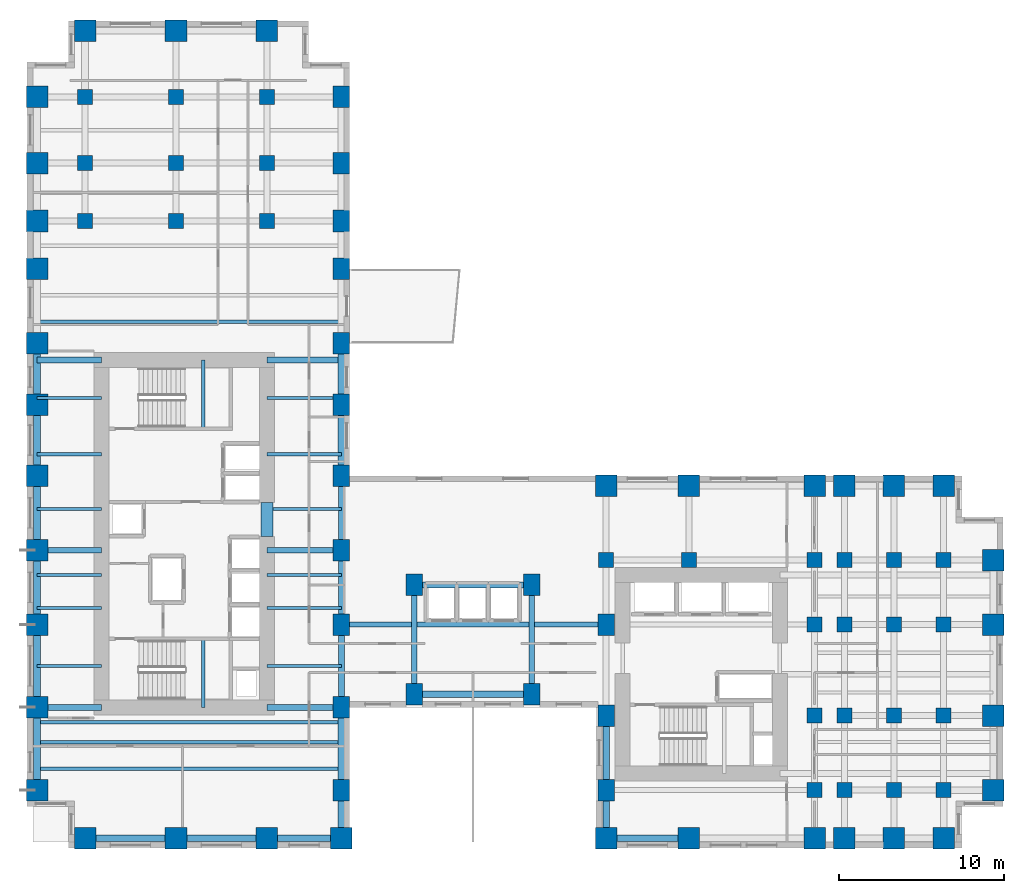
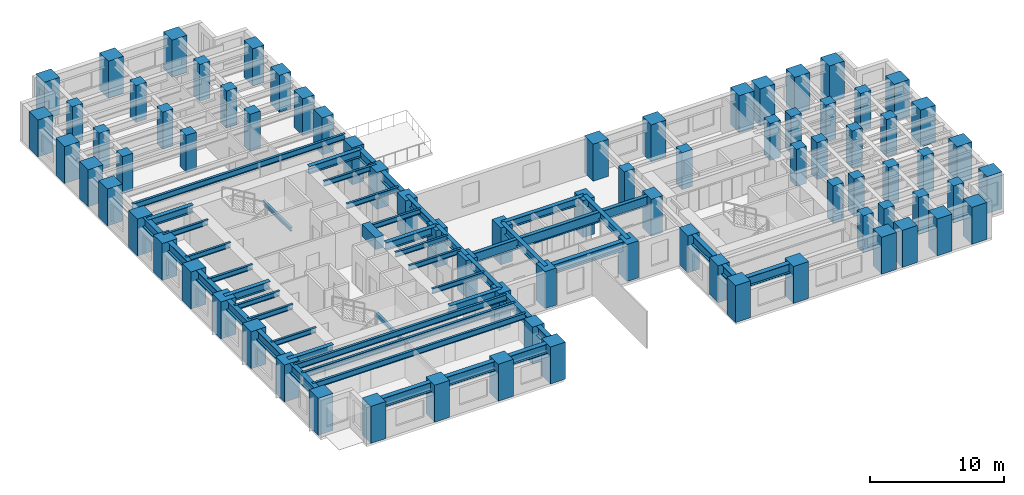
# One storey, part 1 of 11: 79 columns, 49 beams.
"""IFC4 building model written with IfcOpenShell, lengths in metres."""

from ifc_helpers import new_model, si_unit, direction, frame, origin, origin_2d, place, context, subcontext, project, spatial, rectangle, i_section, extrude, source, transform, mapped, material, material_profile, profile_set, type_object, element, save


model = new_model("IFC4")

# Units and contexts
model_context = context("Model", 3, precision=1e-05, world=origin(), true_north=direction((0.0, 1.0)))
body_context = subcontext(model_context, "Body", "Model", "MODEL_VIEW")
ifc_project = project(units=[si_unit("LENGTHUNIT", "METRE"), si_unit("AREAUNIT", "SQUARE_METRE"), si_unit("VOLUMEUNIT", "CUBIC_METRE"), si_unit("PLANEANGLEUNIT", "RADIAN"), si_unit("MASSUNIT", "GRAM", prefix="KILO")], contexts=[model_context])

# Site, building, storey
site_placement = place(None, origin())
site = spatial("IfcSite", under=ifc_project, at=site_placement, CompositionType="ELEMENT")
building_placement = place(site_placement, origin())
building = spatial("IfcBuilding", under=site, at=building_placement, Name="Kharzan Plaza Tower", CompositionType="ELEMENT")
storey_placement = place(building_placement, frame((0.0, 0.0, 40.5)))
storey = spatial("IfcBuildingStorey", under=building, at=storey_placement, Name="L10", CompositionType="ELEMENT", Elevation=40.5)

# Columns
ifc_material_1 = material(Name="Concrete C50/60", Category="concrete")
ifc_material_profile_1 = material_profile(ifc_material_1, rectangle(XDim=0.89990234375, YDim=0.89990234375, at=origin_2d()), Name="RC-IC900x900")
ifc_profile_set_1 = profile_set([ifc_material_profile_1], Name="Concrete C50/60")
column_type_1 = type_object("IfcColumnType", Name="COL-IC900", PredefinedType="COLUMN", material=ifc_profile_set_1)
shared_shape_1 = source(origin(), body_context, "Body", "SweptSolid", [
    extrude(rectangle(XDim=0.89990234375, YDim=0.89990234375, at=origin_2d()), origin(), (0.0, 0.0, 1.0), 3.3798828125),
])
for number, where, z_axis, x_axis, name in (
    (1, (47.60009765625, 13.5, 0.0), (0.0, 0.0, 1.0), (1.0, 0.0, 0.0), "L10 Structural Column TCBI-135"),
    (2, (47.60009765625, 3.5, 0.0), (0.0, 0.0, 1.0), (1.0, 0.0, 0.0), "L10 Structural Column TCBI-35"),
    (3, (47.60009765625, 8.0, 0.0), (0.0, 0.0, 1.0), (1.0, 0.0, 0.0), "L10 Structural Column TCBI-80"),
    (4, (35.0, 17.39990234375, 0.0), (0.0, 0.0, 1.0), (1.0, 0.0, 0.0), "L10 Structural Column TCBN-350-174"),
    (5, (40.0, 17.39990234375, 0.0), (0.0, 0.0, 1.0), (1.0, 0.0, 0.0), "L10 Structural Column TCBN-400-174"),
    (6, (47.60009765625, 17.39990234375, 0.0), (0.0, 0.0, 1.0), (1.0, 0.0, 0.0), "L10 Structural Column TCBN-476-174"),
    (7, (49.39990234375, 13.5, 0.0), (0.0, 0.0, 1.0), (1.0, 0.0, 0.0), "L10 Structural Column TCE-494-135"),
    (8, (49.39990234375, 17.39990234375, 0.0), (0.0, 0.0, 1.0), (1.0, 0.0, 0.0), "L10 Structural Column TCE-494-174"),
    (9, (49.39990234375, 3.5, 0.0), (0.0, 0.0, 1.0), (1.0, 0.0, 0.0), "L10 Structural Column TCE-494-35"),
    (10, (49.39990234375, 8.0, 0.0), (0.0, 0.0, 1.0), (1.0, 0.0, 0.0), "L10 Structural Column TCE-494-80"),
    (11, (52.39990234375, 13.5, 0.0), (0.0, 0.0, 1.0), (1.0, 0.0, 0.0), "L10 Structural Column TCE-524-135"),
    (12, (52.39990234375, 17.39990234375, 0.0), (0.0, 0.0, 1.0), (1.0, 0.0, 0.0), "L10 Structural Column TCE-524-174"),
    (13, (52.39990234375, 3.5, 0.0), (0.0, 0.0, 1.0), (1.0, 0.0, 0.0), "L10 Structural Column TCE-524-35"),
    (14, (52.39990234375, 8.0, 0.0), (0.0, 0.0, 1.0), (1.0, 0.0, 0.0), "L10 Structural Column TCE-524-80"),
    (15, (55.39990234375, 13.5, 0.0), (0.0, 0.0, 1.0), (1.0, 0.0, 0.0), "L10 Structural Column TCE-554-135"),
    (16, (55.39990234375, 17.39990234375, 0.0), (0.0, 0.0, 1.0), (1.0, 0.0, 0.0), "L10 Structural Column TCE-554-174"),
    (17, (55.39990234375, 3.5, 0.0), (0.0, 0.0, 1.0), (1.0, 0.0, 0.0), "L10 Structural Column TCE-554-35"),
    (18, (55.39990234375, 8.0, 0.0), (0.0, 0.0, 1.0), (1.0, 0.0, 0.0), "L10 Structural Column TCE-554-80"),
    (19, (14.5, 37.89990234375, 0.0), (0.0, 0.0, 1.0), (1.0, 0.0, 0.0), "L10 Structural Column TCN-145-379"),
    (20, (14.5, 41.39990234375, 0.0), (0.0, 0.0, 1.0), (1.0, 0.0, 0.0), "L10 Structural Column TCN-145-414"),
    (21, (14.5, 45.39990234375, 0.0), (0.0, 0.0, 1.0), (1.0, 0.0, 0.0), "L10 Structural Column TCN-145-454"),
    (22, (3.5, 37.89990234375, 0.0), (0.0, 0.0, 1.0), (1.0, 0.0, 0.0), "L10 Structural Column TCN-35-379"),
    (23, (3.5, 41.39990234375, 0.0), (0.0, 0.0, 1.0), (1.0, 0.0, 0.0), "L10 Structural Column TCN-35-414"),
    (24, (3.5, 45.39990234375, 0.0), (0.0, 0.0, 1.0), (1.0, 0.0, 0.0), "L10 Structural Column TCN-35-454"),
    (25, (9.0, 37.89990234375, 0.0), (0.0, 0.0, 1.0), (1.0, 0.0, 0.0), "L10 Structural Column TCN-90-379"),
    (26, (9.0, 41.39990234375, 0.0), (0.0, 0.0, 1.0), (1.0, 0.0, 0.0), "L10 Structural Column TCN-90-414"),
    (27, (9.0, 45.39990234375, 0.0), (0.0, 0.0, 1.0), (1.0, 0.0, 0.0), "L10 Structural Column TCN-90-454"),
):
    element("IfcColumn", number, at=place(storey_placement, frame(where, z_axis=z_axis, x_axis=x_axis)), inside=storey, type_object=column_type_1, Name=name, PredefinedType="COLUMN", context=body_context, shape_type="MappedRepresentation", body=[
        mapped(shared_shape_1, transform((0.0, 0.0, 0.0), x_axis=(1.0, 0.0, 0.0), y_axis=(0.0, 1.0, 0.0), z_axis=(0.0, 0.0, 1.0))),
    ])
ifc_material_2 = material(Name="Concrete C60/75", Category="concrete")
ifc_material_profile_2 = material_profile(ifc_material_2, rectangle(XDim=1.0, YDim=1.300048828125, at=origin_2d()), Name="RC-SC1300x1000")
ifc_profile_set_2 = profile_set([ifc_material_profile_2], Name="Concrete C60/75")
column_type_2 = type_object("IfcColumnType", Name="COL-SC1300", PredefinedType="COLUMN", material=ifc_profile_set_2)
shared_shape_2 = source(origin(), body_context, "Body", "SweptSolid", [
    extrude(rectangle(XDim=1.0, YDim=1.300048828125, at=origin_2d()), origin(), (0.0, 0.0, 1.0), 3.3798828125),
])
for number, where, z_axis, x_axis, name in (
    (28, (19.0, 13.5, 0.0), (0.0, 0.0, 1.0), (1.0, 0.0, 0.0), "L10 Structural Column TCA-135"),
    (29, (19.0, 18.0, 0.0), (0.0, 0.0, 1.0), (1.0, 0.0, 0.0), "L10 Structural Column TCA-180"),
    (30, (19.0, 22.5, 0.0), (0.0, 0.0, 1.0), (1.0, 0.0, 0.0), "L10 Structural Column TCA-225"),
    (31, (19.0, 26.800048828125, 0.0), (0.0, 0.0, 1.0), (1.0, 0.0, 0.0), "L10 Structural Column TCA-268"),
    (32, (19.0, 30.5, 0.0), (0.0, 0.0, 1.0), (1.0, 0.0, 0.0), "L10 Structural Column TCA-305"),
    (33, (19.0, 3.5, 0.0), (0.0, 0.0, 1.0), (1.0, 0.0, 0.0), "L10 Structural Column TCA-35"),
    (34, (19.0, 35.0, 0.0), (0.0, 0.0, 1.0), (1.0, 0.0, 0.0), "L10 Structural Column TCA-350"),
    (35, (19.0, 37.89990234375, 0.0), (0.0, 0.0, 1.0), (1.0, 0.0, 0.0), "L10 Structural Column TCA-379"),
    (36, (19.0, 41.39990234375, 0.0), (0.0, 0.0, 1.0), (1.0, 0.0, 0.0), "L10 Structural Column TCA-414"),
    (37, (19.0, 45.39990234375, 0.0), (0.0, 0.0, 1.0), (1.0, 0.0, 0.0), "L10 Structural Column TCA-454"),
    (38, (19.0, 8.5, 0.0), (0.0, 0.0, 1.0), (1.0, 0.0, 0.0), "L10 Structural Column TCA-85"),
    (39, (35.0, 13.5, 0.0), (0.0, 0.0, 1.0), (1.0, 0.0, 0.0), "L10 Structural Column TCBS-135"),
    (40, (35.0, 3.5, 0.0), (0.0, 0.0, 1.0), (1.0, 0.0, 0.0), "L10 Structural Column TCBS-35"),
    (41, (35.0, 8.0, 0.0), (0.0, 0.0, 1.0), (1.0, 0.0, 0.0), "L10 Structural Column TCBS-80"),
    (42, (23.39990234375, 15.89990234375, 0.0), (0.0, 0.0, 1.0), (1.0, 0.0, 0.0), "L10 Structural Column TCSP-234-159"),
    (43, (23.39990234375, 9.300048828125, 0.0), (0.0, 0.0, 1.0), (1.0, 0.0, 0.0), "L10 Structural Column TCSP-234-93"),
    (44, (30.5, 15.89990234375, 0.0), (0.0, 0.0, 1.0), (1.0, 0.0, 0.0), "L10 Structural Column TCSP-305-159"),
    (45, (30.5, 9.300048828125, 0.0), (0.0, 0.0, 1.0), (1.0, 0.0, 0.0), "L10 Structural Column TCSP-305-93"),
):
    element("IfcColumn", number, at=place(storey_placement, frame(where, z_axis=z_axis, x_axis=x_axis)), inside=storey, type_object=column_type_2, Name=name, PredefinedType="COLUMN", context=body_context, shape_type="MappedRepresentation", body=[
        mapped(shared_shape_2, transform((0.0, 0.0, 0.0), x_axis=(1.0, 0.0, 0.0), y_axis=(0.0, 1.0, 0.0), z_axis=(0.0, 0.0, 1.0))),
    ])
ifc_material_profile_3 = material_profile(ifc_material_2, rectangle(XDim=1.300048828125, YDim=1.300048828125, at=origin_2d()), Name="RC-TC1300x1300")
ifc_profile_set_3 = profile_set([ifc_material_profile_3], Name="Concrete C60/75")
column_type_3 = type_object("IfcColumnType", Name="COL-TC1300", PredefinedType="COLUMN", material=ifc_profile_set_3)
shared_shape_3 = source(origin(), body_context, "Body", "SweptSolid", [
    extrude(rectangle(XDim=1.300048828125, YDim=1.300048828125, at=origin_2d()), origin(), (0.0, 0.0, 1.0), 3.3798828125),
])
for number, where, z_axis, x_axis, name in (
    (46, (35.0, 21.89990234375, 0.0), (0.0, 0.0, 1.0), (1.0, 0.0, 0.0), "L10 Structural Column TCBN-350-219"),
    (47, (40.0, 21.89990234375, 0.0), (0.0, 0.0, 1.0), (1.0, 0.0, 0.0), "L10 Structural Column TCBN-400-219"),
    (48, (47.60009765625, 21.89990234375, 0.0), (0.0, 0.0, 1.0), (1.0, 0.0, 0.0), "L10 Structural Column TCBN-476-219"),
    (49, (49.39990234375, 21.89990234375, 0.0), (0.0, 0.0, 1.0), (1.0, 0.0, 0.0), "L10 Structural Column TCBN-494-219"),
    (50, (52.39990234375, 21.89990234375, 0.0), (0.0, 0.0, 1.0), (1.0, 0.0, 0.0), "L10 Structural Column TCBN-524-219"),
    (51, (55.39990234375, 21.89990234375, 0.0), (0.0, 0.0, 1.0), (1.0, 0.0, 0.0), "L10 Structural Column TCBN-554-219"),
    (52, (58.39990234375, 13.5, 0.0), (0.0, 0.0, 1.0), (1.0, 0.0, 0.0), "L10 Structural Column TCE-584-135"),
    (53, (58.39990234375, 17.39990234375, 0.0), (0.0, 0.0, 1.0), (1.0, 0.0, 0.0), "L10 Structural Column TCE-584-174"),
    (54, (58.39990234375, 3.5, 0.0), (0.0, 0.0, 1.0), (1.0, 0.0, 0.0), "L10 Structural Column TCE-584-35"),
    (55, (58.39990234375, 8.0, 0.0), (0.0, 0.0, 1.0), (1.0, 0.0, 0.0), "L10 Structural Column TCE-584-80"),
    (56, (14.5, 49.39990234375, 0.0), (0.0, 0.0, 1.0), (1.0, 0.0, 0.0), "L10 Structural Column TCN-145-494"),
    (57, (3.5, 49.39990234375, 0.0), (0.0, 0.0, 1.0), (1.0, 0.0, 0.0), "L10 Structural Column TCN-35-494"),
    (58, (9.0, 49.39990234375, 0.0), (0.0, 0.0, 1.0), (1.0, 0.0, 0.0), "L10 Structural Column TCN-90-494"),
    (59, (14.5, 0.60009765625, 0.0), (0.0, 0.0, 1.0), (1.0, 0.0, 0.0), "L10 Structural Column TCS-145"),
    (60, (19.0, 0.60009765625, 0.0), (0.0, 0.0, 1.0), (1.0, 0.0, 0.0), "L10 Structural Column TCS-190"),
    (61, (3.5, 0.60009765625, 0.0), (0.0, 0.0, 1.0), (1.0, 0.0, 0.0), "L10 Structural Column TCS-35"),
    (62, (35.0, 0.60009765625, 0.0), (0.0, 0.0, 1.0), (1.0, 0.0, 0.0), "L10 Structural Column TCS-350"),
    (63, (40.0, 0.60009765625, 0.0), (0.0, 0.0, 1.0), (1.0, 0.0, 0.0), "L10 Structural Column TCS-400"),
    (64, (47.60009765625, 0.60009765625, 0.0), (0.0, 0.0, 1.0), (1.0, 0.0, 0.0), "L10 Structural Column TCS-476"),
    (65, (49.39990234375, 0.60009765625, 0.0), (0.0, 0.0, 1.0), (1.0, 0.0, 0.0), "L10 Structural Column TCS-494"),
    (66, (52.39990234375, 0.60009765625, 0.0), (0.0, 0.0, 1.0), (1.0, 0.0, 0.0), "L10 Structural Column TCS-524"),
    (67, (55.39990234375, 0.60009765625, 0.0), (0.0, 0.0, 1.0), (1.0, 0.0, 0.0), "L10 Structural Column TCS-554"),
    (68, (9.0, 0.60009765625, 0.0), (0.0, 0.0, 1.0), (1.0, 0.0, 0.0), "L10 Structural Column TCS-90"),
    (69, (0.60009765625, 13.5, 0.0), (0.0, 0.0, 1.0), (1.0, 0.0, 0.0), "L10 Structural Column TCW-135"),
    (70, (0.60009765625, 18.0, 0.0), (0.0, 0.0, 1.0), (1.0, 0.0, 0.0), "L10 Structural Column TCW-180"),
    (71, (0.60009765625, 22.5, 0.0), (0.0, 0.0, 1.0), (1.0, 0.0, 0.0), "L10 Structural Column TCW-225"),
    (72, (0.60009765625, 26.800048828125, 0.0), (0.0, 0.0, 1.0), (1.0, 0.0, 0.0), "L10 Structural Column TCW-268"),
    (73, (0.60009765625, 30.5, 0.0), (0.0, 0.0, 1.0), (1.0, 0.0, 0.0), "L10 Structural Column TCW-305"),
    (74, (0.60009765625, 3.5, 0.0), (0.0, 0.0, 1.0), (1.0, 0.0, 0.0), "L10 Structural Column TCW-35"),
    (75, (0.60009765625, 35.0, 0.0), (0.0, 0.0, 1.0), (1.0, 0.0, 0.0), "L10 Structural Column TCW-350"),
    (76, (0.60009765625, 37.89990234375, 0.0), (0.0, 0.0, 1.0), (1.0, 0.0, 0.0), "L10 Structural Column TCW-379"),
    (77, (0.60009765625, 41.39990234375, 0.0), (0.0, 0.0, 1.0), (1.0, 0.0, 0.0), "L10 Structural Column TCW-414"),
    (78, (0.60009765625, 45.39990234375, 0.0), (0.0, 0.0, 1.0), (1.0, 0.0, 0.0), "L10 Structural Column TCW-454"),
    (79, (0.60009765625, 8.5, 0.0), (0.0, 0.0, 1.0), (1.0, 0.0, 0.0), "L10 Structural Column TCW-85"),
):
    element("IfcColumn", number, at=place(storey_placement, frame(where, z_axis=z_axis, x_axis=x_axis)), inside=storey, type_object=column_type_3, Name=name, PredefinedType="COLUMN", context=body_context, shape_type="MappedRepresentation", body=[
        mapped(shared_shape_3, transform((0.0, 0.0, 0.0), x_axis=(1.0, 0.0, 0.0), y_axis=(0.0, 1.0, 0.0), z_axis=(0.0, 0.0, 1.0))),
    ])

# Beams
ifc_material_profile_4 = material_profile(ifc_material_2, rectangle(XDim=0.699951171875, YDim=1.10009765625, at=origin_2d()), Name="RC-CB1100x700")
ifc_profile_set_4 = profile_set([ifc_material_profile_4], Name="Concrete C60/75")
beam_type_1 = type_object("IfcBeamType", Name="BM-RCCB1100", PredefinedType="LINTEL", material=ifc_profile_set_4)
shared_shape_4 = source(origin(), body_context, "Body", "SweptSolid", [
    extrude(rectangle(XDim=0.699951171875, YDim=1.10009765625, at=origin_2d()), origin(), (0.0, 0.0, 1.0), 2.059814453125),
])
beam_1_placement = place(storey_placement, frame((14.5, 18.820068359375, 2.830078125), z_axis=(0.0, 1.0, 0.0), x_axis=(-1.0, 0.0, 0.0)))
element("IfcBeam", 80, at=beam_1_placement, inside=storey, type_object=beam_type_1, Name="L10 CORE-A RC coupling beam CB1", PredefinedType="LINTEL", context=body_context, shape_type="MappedRepresentation", body=[
    mapped(shared_shape_4, transform((0.0, 0.0, 0.0), x_axis=(1.0, 0.0, 0.0), y_axis=(0.0, 1.0, 0.0), z_axis=(0.0, 0.0, 1.0))),
])
ifc_material_3 = material(Name="Steel S355", Category="steel")
ifc_material_profile_5 = material_profile(ifc_material_3, i_section(OverallWidth=0.205078125, OverallDepth=0.35400390625, WebThickness=0.009521484375, FlangeThickness=0.016845703125, at=origin_2d()), Name="W360x79")
ifc_profile_set_5 = profile_set([ifc_material_profile_5], Name="Steel S355")
beam_type_2 = type_object("IfcBeamType", Name="BM-LNT360", PredefinedType="LINTEL", material=ifc_profile_set_5)
shared_shape_5 = source(origin(), body_context, "Body", "SweptSolid", [
    extrude(i_section(OverallWidth=0.205078125, OverallDepth=0.35400390625, WebThickness=0.009521484375, FlangeThickness=0.016845703125, at=origin_2d()), origin(), (0.0, 0.0, 1.0), 4.155029296875),
])
for number, where, z_axis, x_axis, name in (
    (81, (10.64990234375, 8.5, 1.423095703125), (0.0, 1.0, 0.0), (-1.0, 0.0, 0.0), "L10 Stair ST-1 Half-Landing Beam"),
    (82, (10.64990234375, 25.344970703125, 1.423095703125), (0.0, 1.0, 0.0), (-1.0, 0.0, 0.0), "L10 Stair ST-2 Half-Landing Beam"),
):
    element("IfcBeam", number, at=place(storey_placement, frame(where, z_axis=z_axis, x_axis=x_axis)), inside=storey, type_object=beam_type_2, Name=name, PredefinedType="LINTEL", context=body_context, shape_type="MappedRepresentation", body=[
        mapped(shared_shape_5, transform((0.0, 0.0, 0.0), x_axis=(1.0, 0.0, 0.0), y_axis=(0.0, 1.0, 0.0), z_axis=(0.0, 0.0, 1.0))),
    ])
ifc_material_profile_6 = material_profile(ifc_material_3, i_section(OverallWidth=0.304931640625, OverallDepth=0.9189453125, WebThickness=0.017333984375, FlangeThickness=0.02783203125, at=origin_2d()), Name="W920x253")
ifc_profile_set_6 = profile_set([ifc_material_profile_6], Name="Steel S355")
beam_type_3 = type_object("IfcBeamType", Name="BM-FG920B", PredefinedType="BEAM", material=ifc_profile_set_6)
shared_shape_6 = source(origin(), body_context, "Body", "SweptSolid", [
    extrude(i_section(OverallWidth=0.304931640625, OverallDepth=0.9189453125, WebThickness=0.017333984375, FlangeThickness=0.02783203125, at=origin_2d()), origin(), (0.0, 0.0, 1.0), 16.0),
])
beam_2_placement = place(storey_placement, frame((19.0, 13.5, 2.92041015625), z_axis=(1.0, 0.0, 0.0), x_axis=(0.0, 1.0, 0.0)))
element("IfcBeam", 83, at=beam_2_placement, inside=storey, type_object=beam_type_3, Name="L10 Primary Floor Girder", PredefinedType="BEAM", context=body_context, shape_type="MappedRepresentation", body=[
    mapped(shared_shape_6, transform((0.0, 0.0, 0.0), x_axis=(1.0, 0.0, 0.0), y_axis=(0.0, 1.0, 0.0), z_axis=(0.0, 0.0, 1.0))),
])
ifc_material_profile_7 = material_profile(ifc_material_3, i_section(OverallWidth=0.35498046875, OverallDepth=0.695068359375, WebThickness=0.015380859375, FlangeThickness=0.02490234375, at=origin_2d()), Name="W690x217")
ifc_profile_set_7 = profile_set([ifc_material_profile_7], Name="Steel S355")
beam_type_4 = type_object("IfcBeamType", Name="BM-FG690A", PredefinedType="BEAM", material=ifc_profile_set_7)
shared_shape_7 = source(origin(), body_context, "Body", "SweptSolid", [
    extrude(i_section(OverallWidth=0.35498046875, OverallDepth=0.695068359375, WebThickness=0.015380859375, FlangeThickness=0.02490234375, at=origin_2d()), origin(), (0.0, 0.0, 1.0), 4.5),
])
for number, where, z_axis, x_axis, name in (
    (84, (14.5, 8.5, 3.032470703125), (1.0, 0.0, 0.0), (0.0, 1.0, 0.0), "L10 Core-A East Floor Girder 1"),
    (85, (14.5, 18.0, 3.032470703125), (1.0, 0.0, 0.0), (0.0, 1.0, 0.0), "L10 Core-A East Floor Girder 2"),
    (86, (14.5, 29.5, 3.032470703125), (1.0, 0.0, 0.0), (0.0, 1.0, 0.0), "L10 Core-A East Floor Girder 3"),
    (87, (19.0, 13.5, 3.032470703125), (0.0, 1.0, 0.0), (-1.0, 0.0, 0.0), "L10 Interior Frame Girder"),
    (88, (19.0, 18.0, 3.032470703125), (0.0, 1.0, 0.0), (-1.0, 0.0, 0.0), "L10 Interior Frame Girder"),
):
    element("IfcBeam", number, at=place(storey_placement, frame(where, z_axis=z_axis, x_axis=x_axis)), inside=storey, type_object=beam_type_4, Name=name, PredefinedType="BEAM", context=body_context, shape_type="MappedRepresentation", body=[
        mapped(shared_shape_7, transform((0.0, 0.0, 0.0), x_axis=(1.0, 0.0, 0.0), y_axis=(0.0, 1.0, 0.0), z_axis=(0.0, 0.0, 1.0))),
    ])
shared_shape_8 = source(origin(), body_context, "Body", "SweptSolid", [
    extrude(i_section(OverallWidth=0.35498046875, OverallDepth=0.695068359375, WebThickness=0.015380859375, FlangeThickness=0.02490234375, at=origin_2d()), origin(), (0.0, 0.0, 1.0), 3.89990234375),
])
for number, where, z_axis, x_axis, name in (
    (89, (0.60009765625, 8.5, 3.032470703125), (1.0, 0.0, 0.0), (0.0, 1.0, 0.0), "L10 Core-A West Floor Girder 1"),
    (90, (0.60009765625, 18.0, 3.032470703125), (1.0, 0.0, 0.0), (0.0, 1.0, 0.0), "L10 Core-A West Floor Girder 2"),
    (91, (0.60009765625, 29.5, 3.032470703125), (1.0, 0.0, 0.0), (0.0, 1.0, 0.0), "L10 Core-A West Floor Girder 3"),
):
    element("IfcBeam", number, at=place(storey_placement, frame(where, z_axis=z_axis, x_axis=x_axis)), inside=storey, type_object=beam_type_4, Name=name, PredefinedType="BEAM", context=body_context, shape_type="MappedRepresentation", body=[
        mapped(shared_shape_8, transform((0.0, 0.0, 0.0), x_axis=(1.0, 0.0, 0.0), y_axis=(0.0, 1.0, 0.0), z_axis=(0.0, 0.0, 1.0))),
    ])
shared_shape_9 = source(origin(), body_context, "Body", "SweptSolid", [
    extrude(i_section(OverallWidth=0.35498046875, OverallDepth=0.695068359375, WebThickness=0.015380859375, FlangeThickness=0.02490234375, at=origin_2d()), origin(), (0.0, 0.0, 1.0), 5.0),
])
beam_3_placement = place(storey_placement, frame((19.0, 8.5, 3.032470703125), z_axis=(0.0, 1.0, 0.0), x_axis=(-1.0, 0.0, 0.0)))
element("IfcBeam", 92, at=beam_3_placement, inside=storey, type_object=beam_type_4, Name="L10 Interior Frame Girder", PredefinedType="BEAM", context=body_context, shape_type="MappedRepresentation", body=[
    mapped(shared_shape_9, transform((0.0, 0.0, 0.0), x_axis=(1.0, 0.0, 0.0), y_axis=(0.0, 1.0, 0.0), z_axis=(0.0, 0.0, 1.0))),
])
shared_shape_10 = source(origin(), body_context, "Body", "SweptSolid", [
    extrude(i_section(OverallWidth=0.35498046875, OverallDepth=0.695068359375, WebThickness=0.015380859375, FlangeThickness=0.02490234375, at=origin_2d()), origin(), (0.0, 0.0, 1.0), 6.599853515625),
])
for number, where, z_axis, x_axis, name in (
    (93, (23.39990234375, 9.300048828125, 3.032470703125), (0.0, 1.0, 0.0), (-1.0, 0.0, 0.0), "L10 Interior Frame Girder"),
    (94, (30.5, 9.300048828125, 3.032470703125), (0.0, 1.0, 0.0), (-1.0, 0.0, 0.0), "L10 Interior Frame Girder"),
):
    element("IfcBeam", number, at=place(storey_placement, frame(where, z_axis=z_axis, x_axis=x_axis)), inside=storey, type_object=beam_type_4, Name=name, PredefinedType="BEAM", context=body_context, shape_type="MappedRepresentation", body=[
        mapped(shared_shape_10, transform((0.0, 0.0, 0.0), x_axis=(1.0, 0.0, 0.0), y_axis=(0.0, 1.0, 0.0), z_axis=(0.0, 0.0, 1.0))),
    ])
shared_shape_11 = source(origin(), body_context, "Body", "SweptSolid", [
    extrude(i_section(OverallWidth=0.35498046875, OverallDepth=0.695068359375, WebThickness=0.015380859375, FlangeThickness=0.02490234375, at=origin_2d()), origin(), (0.0, 0.0, 1.0), 7.10009765625),
])
beam_4_placement = place(storey_placement, frame((23.39990234375, 15.89990234375, 3.032470703125), z_axis=(1.0, 0.0, 0.0), x_axis=(0.0, 1.0, 0.0)))
element("IfcBeam", 95, at=beam_4_placement, inside=storey, type_object=beam_type_4, Name="L10 Primary Floor Girder", PredefinedType="BEAM", context=body_context, shape_type="MappedRepresentation", body=[
    mapped(shared_shape_11, transform((0.0, 0.0, 0.0), x_axis=(1.0, 0.0, 0.0), y_axis=(0.0, 1.0, 0.0), z_axis=(0.0, 0.0, 1.0))),
])
ifc_material_profile_8 = material_profile(ifc_material_3, i_section(OverallWidth=0.2099609375, OverallDepth=0.537109375, WebThickness=0.010986328125, FlangeThickness=0.017333984375, at=origin_2d()), Name="W530x101")
ifc_profile_set_8 = profile_set([ifc_material_profile_8], Name="Steel S355")
beam_type_5 = type_object("IfcBeamType", Name="BM-JST530B", PredefinedType="JOIST", material=ifc_profile_set_8)
shared_shape_12 = source(origin(), body_context, "Body", "SweptSolid", [
    extrude(i_section(OverallWidth=0.2099609375, OverallDepth=0.537109375, WebThickness=0.010986328125, FlangeThickness=0.017333984375, at=origin_2d()), origin(), (0.0, 0.0, 1.0), 18.39990234375),
])
for number, where, z_axis, x_axis, name in (
    (96, (0.60009765625, 4.800048828125, 3.111572265625), (1.0, 0.0, 0.0), (0.0, 1.0, 0.0), "L10 Wing A Composite Joist 01"),
    (97, (0.60009765625, 6.39990234375, 3.111572265625), (1.0, 0.0, 0.0), (0.0, 1.0, 0.0), "L10 Wing A Composite Joist 02"),
    (98, (0.60009765625, 7.60009765625, 3.111572265625), (1.0, 0.0, 0.0), (0.0, 1.0, 0.0), "L10 Wing A Composite Joist 03"),
    (99, (0.60009765625, 31.800048828125, 3.111572265625), (1.0, 0.0, 0.0), (0.0, 1.0, 0.0), "L10 Wing A Composite Joist 04"),
):
    element("IfcBeam", number, at=place(storey_placement, frame(where, z_axis=z_axis, x_axis=x_axis)), inside=storey, type_object=beam_type_5, Name=name, PredefinedType="JOIST", context=body_context, shape_type="MappedRepresentation", body=[
        mapped(shared_shape_12, transform((0.0, 0.0, 0.0), x_axis=(1.0, 0.0, 0.0), y_axis=(0.0, 1.0, 0.0), z_axis=(0.0, 0.0, 1.0))),
    ])
ifc_material_profile_9 = material_profile(ifc_material_3, i_section(OverallWidth=0.194091796875, OverallDepth=0.468994140625, WebThickness=0.011474609375, FlangeThickness=0.0205078125, at=origin_2d()), Name="W460x106")
ifc_profile_set_9 = profile_set([ifc_material_profile_9], Name="Steel S355")
beam_type_6 = type_object("IfcBeamType", Name="BM-JST460", PredefinedType="JOIST", material=ifc_profile_set_9)
shared_shape_13 = source(origin(), body_context, "Body", "SweptSolid", [
    extrude(i_section(OverallWidth=0.194091796875, OverallDepth=0.468994140625, WebThickness=0.011474609375, FlangeThickness=0.0205078125, at=origin_2d()), origin(), (0.0, 0.0, 1.0), 4.5),
])
for number, where, z_axis, x_axis, name in (
    (100, (14.5, 11.0, 3.1455078125), (1.0, 0.0, 0.0), (0.0, 1.0, 0.0), "L10 Wing A East Infill Joist 1"),
    (101, (14.5, 14.5, 3.1455078125), (1.0, 0.0, 0.0), (0.0, 1.0, 0.0), "L10 Wing A East Infill Joist 2"),
    (102, (14.5, 16.5, 3.1455078125), (1.0, 0.0, 0.0), (0.0, 1.0, 0.0), "L10 Wing A East Infill Joist 3"),
    (103, (14.5, 20.5, 3.1455078125), (1.0, 0.0, 0.0), (0.0, 1.0, 0.0), "L10 Wing A East Infill Joist 4"),
    (104, (14.5, 23.800048828125, 3.1455078125), (1.0, 0.0, 0.0), (0.0, 1.0, 0.0), "L10 Wing A East Infill Joist 5"),
    (105, (14.5, 27.199951171875, 3.1455078125), (1.0, 0.0, 0.0), (0.0, 1.0, 0.0), "L10 Wing A East Infill Joist 6"),
):
    element("IfcBeam", number, at=place(storey_placement, frame(where, z_axis=z_axis, x_axis=x_axis)), inside=storey, type_object=beam_type_6, Name=name, PredefinedType="JOIST", context=body_context, shape_type="MappedRepresentation", body=[
        mapped(shared_shape_13, transform((0.0, 0.0, 0.0), x_axis=(1.0, 0.0, 0.0), y_axis=(0.0, 1.0, 0.0), z_axis=(0.0, 0.0, 1.0))),
    ])
shared_shape_14 = source(origin(), body_context, "Body", "SweptSolid", [
    extrude(i_section(OverallWidth=0.194091796875, OverallDepth=0.468994140625, WebThickness=0.011474609375, FlangeThickness=0.0205078125, at=origin_2d()), origin(), (0.0, 0.0, 1.0), 3.89990234375),
])
for number, where, z_axis, x_axis, name in (
    (106, (0.60009765625, 11.0, 3.1455078125), (1.0, 0.0, 0.0), (0.0, 1.0, 0.0), "L10 Wing A West Infill Joist 1"),
    (107, (0.60009765625, 14.5, 3.1455078125), (1.0, 0.0, 0.0), (0.0, 1.0, 0.0), "L10 Wing A West Infill Joist 2"),
    (108, (0.60009765625, 16.5, 3.1455078125), (1.0, 0.0, 0.0), (0.0, 1.0, 0.0), "L10 Wing A West Infill Joist 3"),
    (109, (0.60009765625, 20.5, 3.1455078125), (1.0, 0.0, 0.0), (0.0, 1.0, 0.0), "L10 Wing A West Infill Joist 4"),
    (110, (0.60009765625, 23.800048828125, 3.1455078125), (1.0, 0.0, 0.0), (0.0, 1.0, 0.0), "L10 Wing A West Infill Joist 5"),
    (111, (0.60009765625, 27.199951171875, 3.1455078125), (1.0, 0.0, 0.0), (0.0, 1.0, 0.0), "L10 Wing A West Infill Joist 6"),
):
    element("IfcBeam", number, at=place(storey_placement, frame(where, z_axis=z_axis, x_axis=x_axis)), inside=storey, type_object=beam_type_6, Name=name, PredefinedType="JOIST", context=body_context, shape_type="MappedRepresentation", body=[
        mapped(shared_shape_14, transform((0.0, 0.0, 0.0), x_axis=(1.0, 0.0, 0.0), y_axis=(0.0, 1.0, 0.0), z_axis=(0.0, 0.0, 1.0))),
    ])
ifc_material_profile_10 = material_profile(ifc_material_3, i_section(OverallWidth=0.40087890625, OverallDepth=0.85498046875, WebThickness=0.018310546875, FlangeThickness=0.029296875, at=origin_2d()), Name="W840x299")
ifc_profile_set_10 = profile_set([ifc_material_profile_10], Name="Steel S355")
beam_type_7 = type_object("IfcBeamType", Name="BM-SP840A", PredefinedType="SPANDREL", material=ifc_profile_set_10)
shared_shape_15 = source(origin(), body_context, "Body", "SweptSolid", [
    extrude(i_section(OverallWidth=0.40087890625, OverallDepth=0.85498046875, WebThickness=0.018310546875, FlangeThickness=0.029296875, at=origin_2d()), origin(), (0.0, 0.0, 1.0), 5.0),
])
for number, where, z_axis, x_axis, name in (
    (112, (0.60009765625, 3.5, 2.952392578125), (0.0, 1.0, 0.0), (-1.0, 0.0, 0.0), "L10 Perimeter Tube Spandrel"),
    (113, (0.60009765625, 8.5, 2.952392578125), (0.0, 1.0, 0.0), (-1.0, 0.0, 0.0), "L10 Perimeter Tube Spandrel"),
    (114, (19.0, 3.5, 2.952392578125), (0.0, 1.0, 0.0), (-1.0, 0.0, 0.0), "L10 Perimeter Tube Spandrel"),
    (115, (35.0, 0.60009765625, 2.952392578125), (1.0, 0.0, 0.0), (0.0, 1.0, 0.0), "L10 Perimeter Tube Spandrel"),
):
    element("IfcBeam", number, at=place(storey_placement, frame(where, z_axis=z_axis, x_axis=x_axis)), inside=storey, type_object=beam_type_7, Name=name, PredefinedType="SPANDREL", context=body_context, shape_type="MappedRepresentation", body=[
        mapped(shared_shape_15, transform((0.0, 0.0, 0.0), x_axis=(1.0, 0.0, 0.0), y_axis=(0.0, 1.0, 0.0), z_axis=(0.0, 0.0, 1.0))),
    ])
shared_shape_16 = source(origin(), body_context, "Body", "SweptSolid", [
    extrude(i_section(OverallWidth=0.40087890625, OverallDepth=0.85498046875, WebThickness=0.018310546875, FlangeThickness=0.029296875, at=origin_2d()), origin(), (0.0, 0.0, 1.0), 4.5),
])
for number, where, z_axis, x_axis, name in (
    (116, (0.60009765625, 13.5, 2.952392578125), (0.0, 1.0, 0.0), (-1.0, 0.0, 0.0), "L10 Perimeter Tube Spandrel"),
    (117, (0.60009765625, 18.0, 2.952392578125), (0.0, 1.0, 0.0), (-1.0, 0.0, 0.0), "L10 Perimeter Tube Spandrel"),
    (118, (35.0, 3.5, 2.952392578125), (0.0, 1.0, 0.0), (-1.0, 0.0, 0.0), "L10 Perimeter Tube Spandrel"),
    (119, (14.5, 0.60009765625, 2.952392578125), (1.0, 0.0, 0.0), (0.0, 1.0, 0.0), "L10 Perimeter Tube Spandrel"),
):
    element("IfcBeam", number, at=place(storey_placement, frame(where, z_axis=z_axis, x_axis=x_axis)), inside=storey, type_object=beam_type_7, Name=name, PredefinedType="SPANDREL", context=body_context, shape_type="MappedRepresentation", body=[
        mapped(shared_shape_16, transform((0.0, 0.0, 0.0), x_axis=(1.0, 0.0, 0.0), y_axis=(0.0, 1.0, 0.0), z_axis=(0.0, 0.0, 1.0))),
    ])
shared_shape_17 = source(origin(), body_context, "Body", "SweptSolid", [
    extrude(i_section(OverallWidth=0.40087890625, OverallDepth=0.85498046875, WebThickness=0.018310546875, FlangeThickness=0.029296875, at=origin_2d()), origin(), (0.0, 0.0, 1.0), 4.300048828125),
])
for number, where, z_axis, x_axis, name in (
    (120, (0.60009765625, 22.5, 2.952392578125), (0.0, 1.0, 0.0), (-1.0, 0.0, 0.0), "L10 Perimeter Tube Spandrel"),
    (121, (19.0, 22.5, 2.952392578125), (0.0, 1.0, 0.0), (-1.0, 0.0, 0.0), "L10 Perimeter Tube Spandrel"),
):
    element("IfcBeam", number, at=place(storey_placement, frame(where, z_axis=z_axis, x_axis=x_axis)), inside=storey, type_object=beam_type_7, Name=name, PredefinedType="SPANDREL", context=body_context, shape_type="MappedRepresentation", body=[
        mapped(shared_shape_17, transform((0.0, 0.0, 0.0), x_axis=(1.0, 0.0, 0.0), y_axis=(0.0, 1.0, 0.0), z_axis=(0.0, 0.0, 1.0))),
    ])
shared_shape_18 = source(origin(), body_context, "Body", "SweptSolid", [
    extrude(i_section(OverallWidth=0.40087890625, OverallDepth=0.85498046875, WebThickness=0.018310546875, FlangeThickness=0.029296875, at=origin_2d()), origin(), (0.0, 0.0, 1.0), 3.699951171875),
])
for number, where, z_axis, x_axis, name in (
    (122, (0.60009765625, 26.800048828125, 2.952392578125), (0.0, 1.0, 0.0), (-1.0, 0.0, 0.0), "L10 Perimeter Tube Spandrel"),
    (123, (19.0, 26.800048828125, 2.952392578125), (0.0, 1.0, 0.0), (-1.0, 0.0, 0.0), "L10 Perimeter Tube Spandrel"),
):
    element("IfcBeam", number, at=place(storey_placement, frame(where, z_axis=z_axis, x_axis=x_axis)), inside=storey, type_object=beam_type_7, Name=name, PredefinedType="SPANDREL", context=body_context, shape_type="MappedRepresentation", body=[
        mapped(shared_shape_18, transform((0.0, 0.0, 0.0), x_axis=(1.0, 0.0, 0.0), y_axis=(0.0, 1.0, 0.0), z_axis=(0.0, 0.0, 1.0))),
    ])
shared_shape_19 = source(origin(), body_context, "Body", "SweptSolid", [
    extrude(i_section(OverallWidth=0.40087890625, OverallDepth=0.85498046875, WebThickness=0.018310546875, FlangeThickness=0.029296875, at=origin_2d()), origin(), (0.0, 0.0, 1.0), 2.89990234375),
])
for number, where, z_axis, x_axis, name in (
    (124, (19.0, 0.60009765625, 2.952392578125), (0.0, 1.0, 0.0), (-1.0, 0.0, 0.0), "L10 Perimeter Tube Spandrel"),
    (125, (35.0, 0.60009765625, 2.952392578125), (0.0, 1.0, 0.0), (-1.0, 0.0, 0.0), "L10 Perimeter Tube Spandrel"),
):
    element("IfcBeam", number, at=place(storey_placement, frame(where, z_axis=z_axis, x_axis=x_axis)), inside=storey, type_object=beam_type_7, Name=name, PredefinedType="SPANDREL", context=body_context, shape_type="MappedRepresentation", body=[
        mapped(shared_shape_19, transform((0.0, 0.0, 0.0), x_axis=(1.0, 0.0, 0.0), y_axis=(0.0, 1.0, 0.0), z_axis=(0.0, 0.0, 1.0))),
    ])
shared_shape_20 = source(origin(), body_context, "Body", "SweptSolid", [
    extrude(i_section(OverallWidth=0.40087890625, OverallDepth=0.85498046875, WebThickness=0.018310546875, FlangeThickness=0.029296875, at=origin_2d()), origin(), (0.0, 0.0, 1.0), 5.5),
])
for number, where, z_axis, x_axis, name in (
    (126, (3.5, 0.60009765625, 2.952392578125), (1.0, 0.0, 0.0), (0.0, 1.0, 0.0), "L10 Perimeter Tube Spandrel"),
    (127, (9.0, 0.60009765625, 2.952392578125), (1.0, 0.0, 0.0), (0.0, 1.0, 0.0), "L10 Perimeter Tube Spandrel"),
):
    element("IfcBeam", number, at=place(storey_placement, frame(where, z_axis=z_axis, x_axis=x_axis)), inside=storey, type_object=beam_type_7, Name=name, PredefinedType="SPANDREL", context=body_context, shape_type="MappedRepresentation", body=[
        mapped(shared_shape_20, transform((0.0, 0.0, 0.0), x_axis=(1.0, 0.0, 0.0), y_axis=(0.0, 1.0, 0.0), z_axis=(0.0, 0.0, 1.0))),
    ])
shared_shape_21 = source(origin(), body_context, "Body", "SweptSolid", [
    extrude(i_section(OverallWidth=0.40087890625, OverallDepth=0.85498046875, WebThickness=0.018310546875, FlangeThickness=0.029296875, at=origin_2d()), origin(), (0.0, 0.0, 1.0), 7.10009765625),
])
beam_5_placement = place(storey_placement, frame((23.39990234375, 9.300048828125, 2.952392578125), z_axis=(1.0, 0.0, 0.0), x_axis=(0.0, 1.0, 0.0)))
element("IfcBeam", 128, at=beam_5_placement, inside=storey, type_object=beam_type_7, Name="L10 Perimeter Tube Spandrel", PredefinedType="SPANDREL", context=body_context, shape_type="MappedRepresentation", body=[
    mapped(shared_shape_21, transform((0.0, 0.0, 0.0), x_axis=(1.0, 0.0, 0.0), y_axis=(0.0, 1.0, 0.0), z_axis=(0.0, 0.0, 1.0))),
])

save(model, "model.ifc")
